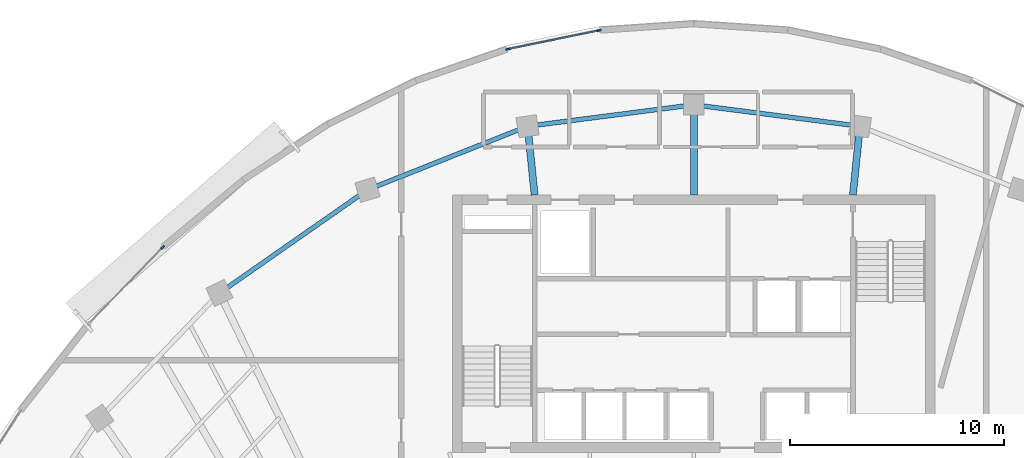
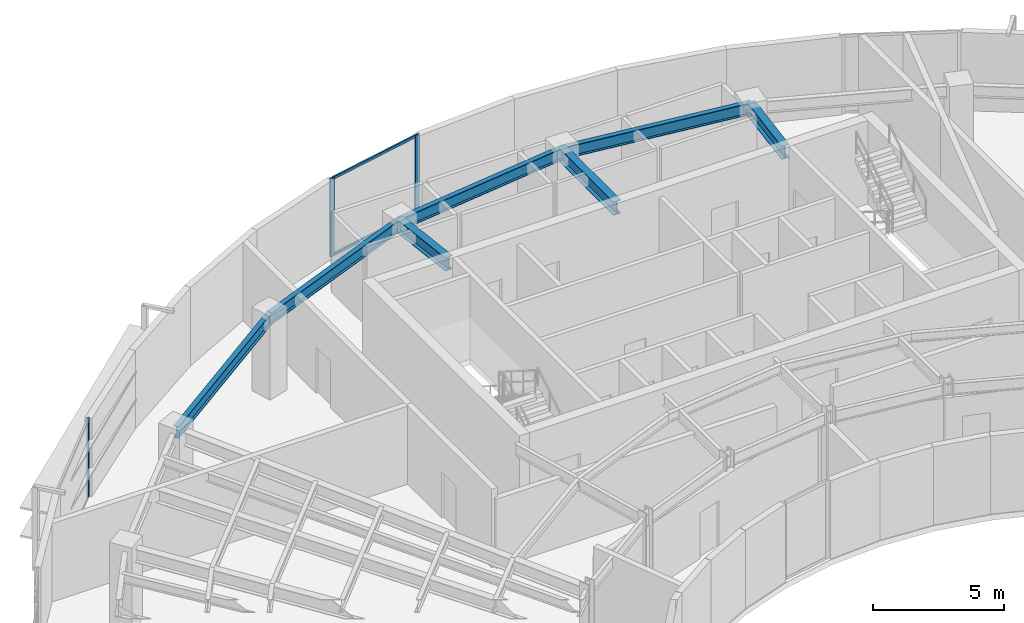
# One storey, part 5 of 13: 7 beams, 5 members, 2 elements without a shape of their own.
"""IFC4 building model written with IfcOpenShell, lengths in metres."""

from ifc_helpers import new_model, si_unit, direction, frame, origin, origin_2d, place, context, subcontext, project, spatial, rectangle, i_section, extrude, source, transform, mapped, material, layer, layer_set, material_profile, profile_set, type_object, element, aggregate, save


model = new_model("IFC4")

# Units and contexts
model_context = context("Model", 3, precision=1e-05, world=origin(), true_north=direction((0.0, 1.0)))
body_context = subcontext(model_context, "Body", "Model", "MODEL_VIEW")
ifc_project = project(units=[si_unit("LENGTHUNIT", "METRE"), si_unit("AREAUNIT", "SQUARE_METRE"), si_unit("VOLUMEUNIT", "CUBIC_METRE"), si_unit("PLANEANGLEUNIT", "RADIAN"), si_unit("MASSUNIT", "GRAM", prefix="KILO")], contexts=[model_context])

# Site, building, storey
site_placement = place(None, origin())
site = spatial("IfcSite", under=ifc_project, at=site_placement, CompositionType="ELEMENT")
building_placement = place(site_placement, origin())
building = spatial("IfcBuilding", under=site, at=building_placement, Name="Breltana Convention Tower", CompositionType="ELEMENT")
storey_placement = place(building_placement, frame((0.0, 0.0, 227.39990234375)))
storey = spatial("IfcBuildingStorey", under=building, at=storey_placement, Name="L55", CompositionType="ELEMENT", Elevation=227.39990234375)

# Beams
ifc_material_1 = material(Name="Steel ASTM A992 Grade 50", Category="steel")
ifc_material_profile_1 = material_profile(ifc_material_1, i_section(OverallWidth=0.326904296875, OverallDepth=0.6220703125, WebThickness=0.015380859375, FlangeThickness=0.0244140625, at=origin_2d()), Name="W24X131")
ifc_profile_set_1 = profile_set([ifc_material_profile_1], Name="Steel ASTM A992 Grade 50")
beam_type_1 = type_object("IfcBeamType", Name="BM-RG-W24X131", PredefinedType="USERDEFINED", material=ifc_profile_set_1)
shared_shape_1 = source(origin(), body_context, "Body", "SweptSolid", [
    extrude(i_section(OverallWidth=0.326904296875, OverallDepth=0.6220703125, WebThickness=0.015380859375, FlangeThickness=0.0244140625, at=origin_2d()), origin(), (0.0, 0.0, 1.0), 3.220947265625),
])
for number, where, z_axis, x_axis, name in (
    (1, (40.580078125, 72.199951171875, 3.339111328125), (-0.101492254858, 0.994836329355, 0.0), (-0.994836329355, -0.101492254858, 0.0), "L55 North Core Radial Girder R05"),
    (2, (55.419921875, 72.199951171875, 3.339111328125), (0.101492254858, 0.994836329355, 0.0), (-0.994836329355, 0.101492254858, 0.0), "L55 North Core Radial Girder R07"),
):
    element("IfcBeam", number, at=place(storey_placement, frame(where, z_axis=z_axis, x_axis=x_axis)), inside=storey, type_object=beam_type_1, Name=name, ObjectType="GIRDER", PredefinedType="USERDEFINED", context=body_context, shape_type="MappedRepresentation", body=[
        mapped(shared_shape_1, transform((0.0, 0.0, 0.0), scale=1.0)),
    ])
shared_shape_2 = source(origin(), body_context, "Body", "SweptSolid", [
    extrude(i_section(OverallWidth=0.326904296875, OverallDepth=0.6220703125, WebThickness=0.015380859375, FlangeThickness=0.0244140625, at=origin_2d()), origin(), (0.0, 0.0, 1.0), 4.2041015625),
])
beam_1_placement = place(storey_placement, frame((48.0, 72.199951171875, 3.339111328125), z_axis=(0.0, 1.0, 0.0), x_axis=(-1.0, 0.0, 0.0)))
element("IfcBeam", 3, at=beam_1_placement, inside=storey, type_object=beam_type_1, Name="L55 North Core Radial Girder R06", ObjectType="GIRDER", PredefinedType="USERDEFINED", context=body_context, shape_type="MappedRepresentation", body=[
    mapped(shared_shape_2, transform((0.0, 0.0, 0.0), scale=1.0)),
])
ifc_material_profile_2 = material_profile(ifc_material_1, i_section(OverallWidth=0.214111328125, OverallDepth=0.549072265625, WebThickness=0.0146484375, FlangeThickness=0.023681640625, at=origin_2d()), Name="W21X93")
ifc_profile_set_2 = profile_set([ifc_material_profile_2], Name="Steel ASTM A992 Grade 50")
beam_type_2 = type_object("IfcBeamType", Name="BM-SP-W21X93", PredefinedType="SPANDREL", material=ifc_profile_set_2)
shared_shape_3 = source(origin(), body_context, "Body", "SweptSolid", [
    extrude(i_section(OverallWidth=0.214111328125, OverallDepth=0.549072265625, WebThickness=0.0146484375, FlangeThickness=0.023681640625, at=origin_2d()), origin(), (0.0, 0.0, 1.0), 8.4169921875),
])
beam_2_placement = place(storey_placement, frame((25.8876953125, 67.626953125, 3.37548828125), z_axis=(0.820173800102, 0.572114444519, 0.0), x_axis=(-0.572114444519, 0.820173800102, 0.0)))
element("IfcBeam", 4, at=beam_2_placement, inside=storey, type_object=beam_type_2, Name="L55 Outer Spandrel Beam 03", PredefinedType="SPANDREL", context=body_context, shape_type="MappedRepresentation", body=[
    mapped(shared_shape_3, transform((0.0, 0.0, 0.0), scale=1.0)),
])
shared_shape_4 = source(origin(), body_context, "Body", "SweptSolid", [
    extrude(i_section(OverallWidth=0.214111328125, OverallDepth=0.549072265625, WebThickness=0.0146484375, FlangeThickness=0.023681640625, at=origin_2d()), origin(), (0.0, 0.0, 1.0), 8.028564453125),
])
beam_3_placement = place(storey_placement, frame((32.791015625, 72.4423828125, 3.37548828125), z_axis=(0.929459100394, 0.368925169507, 0.0), x_axis=(-0.368925169507, 0.929459100394, 0.0)))
element("IfcBeam", 5, at=beam_3_placement, inside=storey, type_object=beam_type_2, Name="L55 Outer Spandrel Beam 04", PredefinedType="SPANDREL", context=body_context, shape_type="MappedRepresentation", body=[
    mapped(shared_shape_4, transform((0.0, 0.0, 0.0), scale=1.0)),
])
shared_shape_5 = source(origin(), body_context, "Body", "SweptSolid", [
    extrude(i_section(OverallWidth=0.214111328125, OverallDepth=0.549072265625, WebThickness=0.0146484375, FlangeThickness=0.023681640625, at=origin_2d()), origin(), (0.0, 0.0, 1.0), 7.81103515625),
])
for number, where, z_axis, x_axis, name in (
    (6, (40.253173828125, 75.404296875, 3.37548828125), (0.991775179127, 0.127992164083, 0.0), (-0.127992164083, 0.991775179127, 0.0), "L55 Outer Spandrel Beam 05"),
    (7, (48.0, 76.404052734375, 3.37548828125), (0.991775179127, -0.127992164083, 0.0), (0.127992164083, 0.991775179127, 0.0), "L55 Outer Spandrel Beam 06"),
):
    element("IfcBeam", number, at=place(storey_placement, frame(where, z_axis=z_axis, x_axis=x_axis)), inside=storey, type_object=beam_type_2, Name=name, PredefinedType="SPANDREL", context=body_context, shape_type="MappedRepresentation", body=[
        mapped(shared_shape_5, transform((0.0, 0.0, 0.0), scale=1.0)),
    ])

# Curtain wall, member
ifc_material_2 = material(Name="Aluminium Anodised Bronze Frame", Category="aluminium")
ifc_layer = layer(ifc_material_2, 0.219970703125, Name="Aluminium Anodised Bronze Frame")
ifc_layer_set = layer_set([ifc_layer], Name="Aluminium Anodised Bronze Frame")
curtain_wall_type = type_object("IfcCurtainWallType", Name="CW-SYS-4", PredefinedType="NOTDEFINED", material=ifc_layer_set)
curtain_wall_1_placement = place(storey_placement, origin())
curtain_wall_1 = element("IfcCurtainWall", 8, at=curtain_wall_1_placement, inside=storey, type_object=curtain_wall_type, Name="L55 outer double-skin inner glazing 2", PredefinedType="NOTDEFINED")
ifc_material_3 = material(Name="Aluminium Anodised Bronze", Category="aluminium")
ifc_material_profile_3 = material_profile(ifc_material_3, rectangle(XDim=0.080078125, YDim=0.199951171875, at=origin_2d()), Name="CWM-80X200")
ifc_profile_set_3 = profile_set([ifc_material_profile_3], Name="Aluminium Anodised Bronze")
member_type_1 = type_object("IfcMemberType", Name="CWM-200", PredefinedType="MULLION", material=ifc_profile_set_3)
shared_shape_6 = source(origin(), body_context, "Body", "SweptSolid", [
    extrude(rectangle(XDim=0.080078125, YDim=0.199951171875, at=origin_2d()), origin(), (0.0, 0.0, 1.0), 3.650146484375),
])
member_1_placement = place(storey_placement, frame((23.240234375, 69.759033203125, 0.0), z_axis=(0.0, 0.0, 1.0), x_axis=(-0.719396292115, 0.694599866751, 0.0)))
member_1 = element("IfcMember", 9, at=member_1_placement, type_object=member_type_1, Name="CW-04 mullion 2", PredefinedType="MULLION", context=body_context, shape_type="MappedRepresentation", body=[
    mapped(shared_shape_6, transform((0.0, 0.0, 0.0), scale=1.0)),
])
aggregate(curtain_wall_1, [member_1])

# Curtain wall, members
curtain_wall_2_placement = place(storey_placement, origin())
curtain_wall_2 = element("IfcCurtainWall", 10, at=curtain_wall_2_placement, inside=storey, type_object=curtain_wall_type, Name="L55 outer double-skin inner glazing 3", PredefinedType="NOTDEFINED")
member_2_placement = place(storey_placement, frame((39.330078125, 78.9990234375, 0.0), z_axis=(0.0, 0.0, 1.0), x_axis=(-0.200879604523, 0.979615937236, 0.0)))
member_2 = element("IfcMember", 11, at=member_2_placement, type_object=member_type_1, Name="CW-04 mullion 1", PredefinedType="MULLION", context=body_context, shape_type="MappedRepresentation", body=[
    mapped(shared_shape_6, transform((0.0, 0.0, 0.0), scale=1.0)),
])
member_3_placement = place(storey_placement, frame((43.584228515625, 79.87158203125, 0.0), z_axis=(0.0, 0.0, 1.0), x_axis=(-0.200879604523, 0.979615937236, 0.0)))
member_3 = element("IfcMember", 12, at=member_3_placement, type_object=member_type_1, Name="CW-04 mullion 2", PredefinedType="MULLION", context=body_context, shape_type="MappedRepresentation", body=[
    mapped(shared_shape_6, transform((0.0, 0.0, 0.0), scale=1.0)),
])
ifc_material_profile_4 = material_profile(ifc_material_3, rectangle(XDim=0.070068359375, YDim=0.1201171875, at=origin_2d()), Name="CWT-70X120")
ifc_profile_set_4 = profile_set([ifc_material_profile_4], Name="Aluminium Anodised Bronze")
member_type_2 = type_object("IfcMemberType", Name="CWT-120", PredefinedType="USERDEFINED", material=ifc_profile_set_4)
shared_shape_7 = source(origin(), body_context, "Body", "SweptSolid", [
    extrude(rectangle(XDim=0.070068359375, YDim=0.1201171875, at=origin_2d()), origin(), (0.0, 0.0, 1.0), 4.262451171875),
])
member_4_placement = place(storey_placement, frame((39.369384765625, 79.007080078125, 0.03515625), z_axis=(0.97960616963, 0.200927231659, 0.0), x_axis=(-0.200927231659, 0.97960616963, 0.0)))
member_4 = element("IfcMember", 13, at=member_4_placement, type_object=member_type_2, Name="CW-04 transom 1.1", ObjectType="TRANSOM", PredefinedType="USERDEFINED", context=body_context, shape_type="MappedRepresentation", body=[
    mapped(shared_shape_7, transform((0.0, 0.0, 0.0), scale=1.0)),
])
member_5_placement = place(storey_placement, frame((39.369384765625, 79.007080078125, 3.614990234375), z_axis=(0.97960616963, 0.200927231659, 0.0), x_axis=(-0.200927231659, 0.97960616963, 0.0)))
member_5 = element("IfcMember", 14, at=member_5_placement, type_object=member_type_2, Name="CW-04 transom 1.2", ObjectType="TRANSOM", PredefinedType="USERDEFINED", context=body_context, shape_type="MappedRepresentation", body=[
    mapped(shared_shape_7, transform((0.0, 0.0, 0.0), scale=1.0)),
])
aggregate(curtain_wall_2, [member_2, member_3, member_4, member_5])

save(model, "model.ifc")
